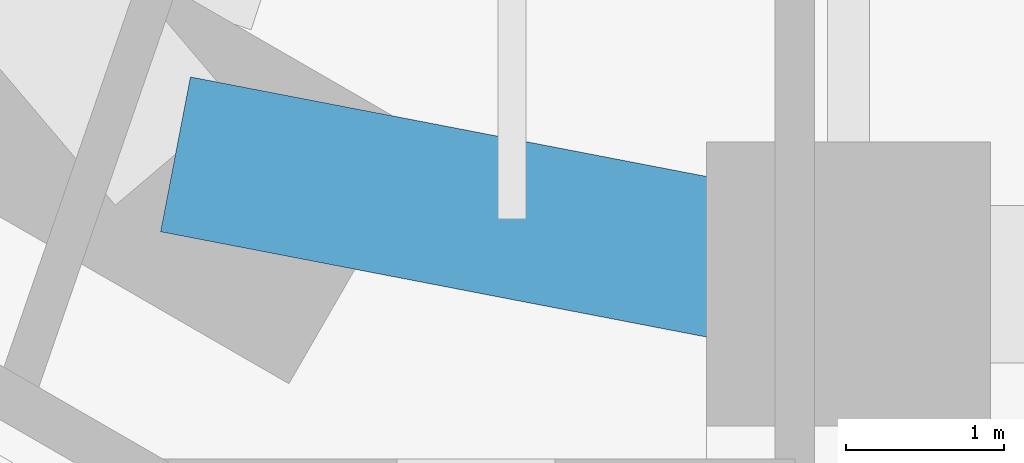
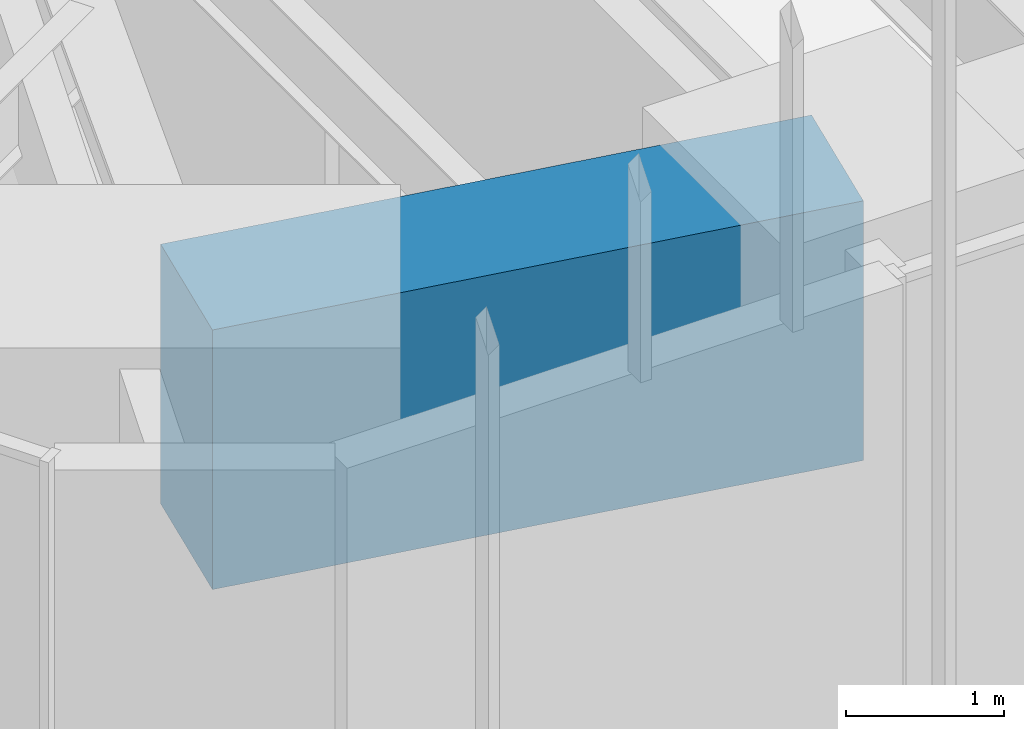
# One storey, part 19 of 228: 1 beam.
"""IFC4 building model written with IfcOpenShell, lengths in metres."""

from ifc_helpers import new_model, si_unit, direction, frame, origin, origin_2d, place, context, subcontext, project, spatial, rectangle, extrude, material, material_profile, profile_set, type_object, element, save


model = new_model("IFC4")

# Units and contexts
model_context = context("Model", 3, precision=1e-05, world=origin(), true_north=direction((0.0, 1.0)))
body_context = subcontext(model_context, "Body", "Model", "MODEL_VIEW")
ifc_project = project(units=[si_unit("LENGTHUNIT", "METRE"), si_unit("AREAUNIT", "SQUARE_METRE"), si_unit("VOLUMEUNIT", "CUBIC_METRE"), si_unit("PLANEANGLEUNIT", "RADIAN"), si_unit("MASSUNIT", "GRAM", prefix="KILO")], contexts=[model_context])

# Site, building, storey
site_placement = place(None, origin())
site = spatial("IfcSite", under=ifc_project, at=site_placement, CompositionType="ELEMENT")
building_placement = place(site_placement, origin())
building = spatial("IfcBuilding", under=site, at=building_placement, Name="Sandreach Pilgrim Tower", CompositionType="ELEMENT")
storey_placement = place(building_placement, frame((0.0, 0.0, 178.199951171875)))
storey = spatial("IfcBuildingStorey", under=building, at=storey_placement, Name="L44", CompositionType="ELEMENT", Elevation=178.199951171875)

# Beam
ifc_material = material(Name="Concrete 10000 psi", Category="concrete")
ifc_material_profile = material_profile(ifc_material, rectangle(XDim=1.0, YDim=2.0, at=origin_2d()), Name="RC1000X2000")
ifc_profile_set = profile_set([ifc_material_profile], Name="Concrete 10000 psi")
beam_type = type_object("IfcBeamType", Name="Spandrel beam RC1000X2000", PredefinedType="SPANDREL", material=ifc_profile_set)
beam_placement = place(storey_placement, frame((-3.71044921875, -25.26513671875, 3.840087890625), z_axis=(-0.981901333807, 0.18939316426, 0.0), x_axis=(-0.18939316426, -0.981901333807, 0.0)))
element("IfcBeam", 1, at=beam_placement, inside=storey, type_object=beam_type, Name="BM L44 SP25", PredefinedType="SPANDREL", context=body_context, shape_type="SweptSolid", body=[
    extrude(rectangle(XDim=1.0, YDim=2.0, at=origin_2d()), origin(), (0.0, 0.0, 1.0), 4.3466796875),
])

save(model, "model.ifc")
